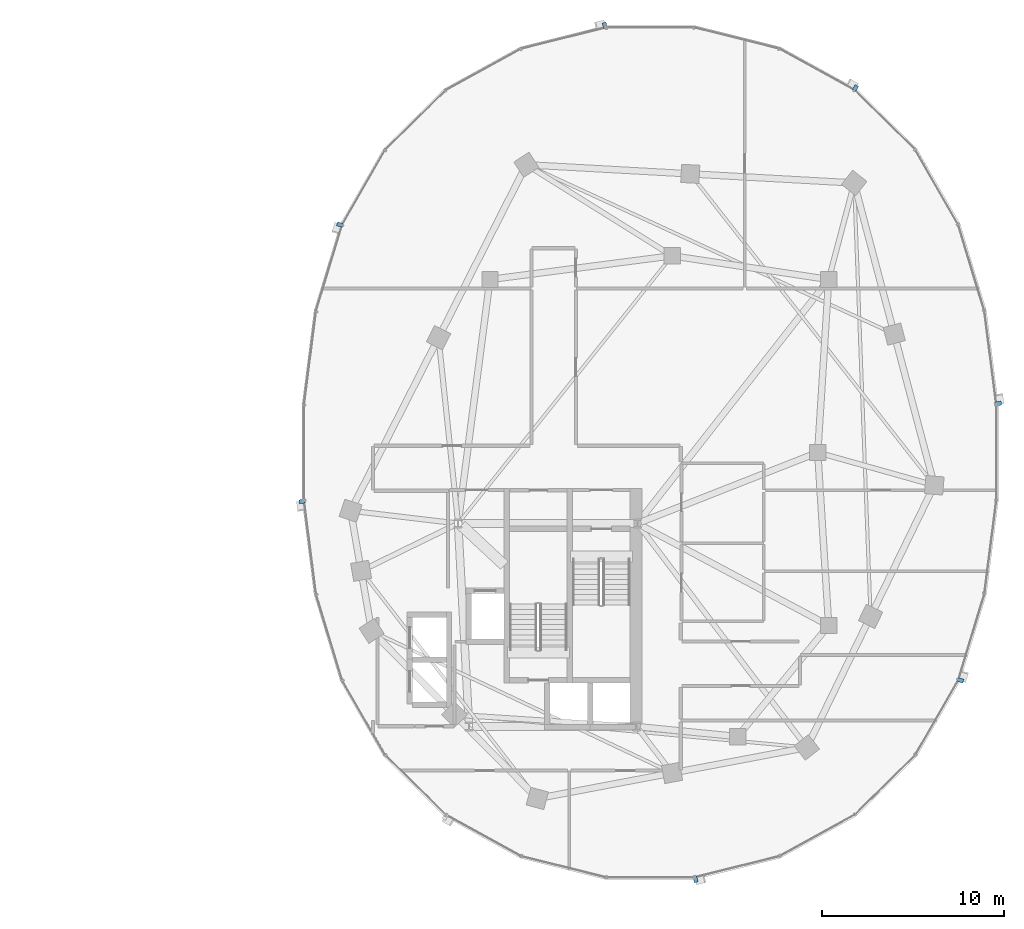
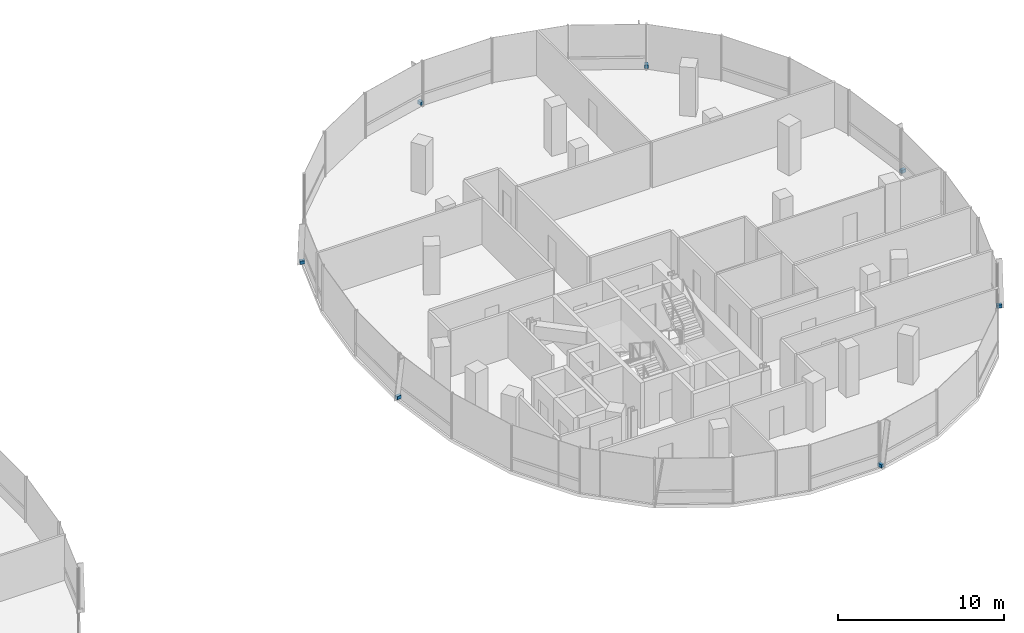
# One storey, part 17 of 22: 7 discrete accessories.
"""IFC4 building model written with IfcOpenShell, lengths in metres."""

import ifcopenshell
import ifcopenshell.guid

model = None  # the IFC model being written
_history = None  # IfcOwnerHistory: only IFC2X3 demands one
_inside = {}  # id of a spatial element -> (the spatial element, [elements in it])
_under = {}  # id of a project, library or spatial element -> (it, [spatial elements below it])
_declared = {}  # id of a project -> (the project, [libraries it declares])
_typed = {}  # id of a type object -> (the type object, [elements of that type])
_made_of = {}  # id of a material, layer set ... -> (it, [elements and type objects made of it])


def new_model(schema):
    """Start an empty IFC model of exactly this schema.

    Asked for "IFC4X3", IfcOpenShell would pick the latest addendum, in which some entities
    have other attributes; the version numbers below select the first issue.
    IFC2X3 requires an IfcOwnerHistory on every rooted entity: one is made here for all.
    """
    global model, _history
    if schema == "IFC4X3":
        model = ifcopenshell.file(schema_version=(4, 3, 0, 0))
    else:
        model = ifcopenshell.file(schema=schema)
    _inside.clear()
    _under.clear()
    _declared.clear()
    _typed.clear()
    _made_of.clear()
    _history = None
    if model.schema == "IFC2X3":
        org = make("IfcOrganization", Name="unknown")
        user = make(
            "IfcPersonAndOrganization",
            ThePerson=make("IfcPerson", FamilyName="unknown"),
            TheOrganization=org,
        )
        app = make(
            "IfcApplication",
            ApplicationDeveloper=org,
            Version="unknown",
            ApplicationFullName="unknown",
            ApplicationIdentifier="unknown",
        )
        _history = make(
            "IfcOwnerHistory",
            OwningUser=user,
            OwningApplication=app,
            ChangeAction="ADDED",
            CreationDate=0,
        )
    return model


def make(cls, **values):
    """One entity of the class cls with the attributes given. An attribute that is None is left unset."""
    return model.create_entity(
        cls, **{name: value for name, value in values.items() if value is not None}
    )


def rooted(cls, **values):
    """An entity with a GlobalId (a new one), such as an element, a storey or a relation."""
    return make(cls, GlobalId=ifcopenshell.guid.new(), OwnerHistory=_history, **values)


def si_unit(unit_type, name, prefix=None):
    """IfcSIUnit, for example si_unit("LENGTHUNIT", "METRE", prefix="MILLI")."""
    return make("IfcSIUnit", UnitType=unit_type, Prefix=prefix, Name=name)


def assignment(units):
    """IfcUnitAssignment: the units of a project."""
    return None if units is None else make("IfcUnitAssignment", Units=units)


def point(xyz):
    """IfcCartesianPoint."""
    return None if xyz is None else make("IfcCartesianPoint", Coordinates=xyz)


def direction(xyz):
    """IfcDirection."""
    return None if xyz is None else make("IfcDirection", DirectionRatios=xyz)


def frame(location, z_axis=None, x_axis=None):
    """IfcAxis2Placement3D, a coordinate frame: its origin and axes. An axis left out is left unset."""
    return make(
        "IfcAxis2Placement3D",
        Location=point(location),
        Axis=direction(z_axis),
        RefDirection=direction(x_axis),
    )


def frame_2d(location, x_axis=None):
    """IfcAxis2Placement2D, a coordinate frame in the plane: its origin and x axis."""
    return make(
        "IfcAxis2Placement2D", Location=point(location), RefDirection=direction(x_axis)
    )


def origin():
    """The frame at (0, 0, 0) with its axes left unset."""
    return frame((0.0, 0.0, 0.0))


def origin_2d():
    """The frame at (0, 0) in the plane with its x axis left unset."""
    return frame_2d((0.0, 0.0))


def place(relative_to, where):
    """IfcLocalPlacement: puts the frame where relative to a parent placement (None: the world)."""
    return make(
        "IfcLocalPlacement", PlacementRelTo=relative_to, RelativePlacement=where
    )


def context(
    kind, dimensions, precision=None, world=None, true_north=None, identifier=None
):
    """IfcGeometricRepresentationContext, for example the 3D "Model" context."""
    return make(
        "IfcGeometricRepresentationContext",
        ContextIdentifier=identifier,
        ContextType=kind,
        CoordinateSpaceDimension=dimensions,
        Precision=precision,
        WorldCoordinateSystem=world,
        TrueNorth=true_north,
    )


def subcontext(parent, identifier, kind, view, scale=None):
    """IfcGeometricRepresentationSubContext, for example "Body" below "Model"."""
    return make(
        "IfcGeometricRepresentationSubContext",
        ContextIdentifier=identifier,
        ContextType=kind,
        ParentContext=parent,
        TargetScale=scale,
        TargetView=view,
    )


def project(units=None, contexts=None):
    """IfcProject with its units and contexts."""
    return rooted(
        "IfcProject",
        Name="project",
        RepresentationContexts=contexts,
        UnitsInContext=assignment(units),
    )


def spatial(cls, under=None, at=None, **own):
    """A site, building, storey or space (cls), placed at a placement, below another one or the project."""
    s = rooted(cls, ObjectPlacement=at, **own)
    if under is not None:
        _under.setdefault(under.id(), (under, []))[1].append(s)
    return s


def profile(cls, at=None, kind="AREA", **sizes):
    """A parametric profile (cls). Its sizes go by their IFC names, for example OverallWidth=200.0."""
    return make(cls, ProfileType=kind, Position=at, **sizes)


def rectangle(**sizes):
    """IfcRectangleProfileDef."""
    return profile("IfcRectangleProfileDef", **sizes)


def extrude(swept, where, along, depth):
    """IfcExtrudedAreaSolid: the profile swept, set in the frame where, extruded along a direction by depth."""
    return make(
        "IfcExtrudedAreaSolid",
        SweptArea=swept,
        Position=where,
        ExtrudedDirection=direction(along),
        Depth=depth,
    )


def shape(context_of_items, identifier, shape_type, items):
    """IfcShapeRepresentation: the items that make up one representation, for example the "Body"."""
    return make(
        "IfcShapeRepresentation",
        ContextOfItems=context_of_items,
        RepresentationIdentifier=identifier,
        RepresentationType=shape_type,
        Items=items,
    )


def material(Name=None, Category=None):
    """IfcMaterial."""
    return make("IfcMaterial", Name=Name, Category=Category)


def made_of(thing, what):
    """Note that an element or type object is made of a material, layer set ...; save() writes the relation."""
    if what is not None:
        _made_of.setdefault(what.id(), (what, []))[1].append(thing)
    return thing


def type_object(cls, material=None, **own):
    """A type object (cls), such as IfcWallType, which elements share."""
    return made_of(rooted(cls, **own), material)


def element(
    cls,
    number,
    at=None,
    inside=None,
    cuts=None,
    type_object=None,
    material=None,
    context=None,
    identifier="Body",
    shape_type=None,
    held_by="IfcProductDefinitionShape",
    body=None,
    shapes=None,
    **own,
):
    """One element of the class cls, such as IfcWall. Its Tag is "e" and its number.

    at: its placement. inside: the storey or other place that contains it. cuts: it is an
    opening in that element (IfcRelVoidsElement). A single representation is given by context,
    identifier, shape_type and body (its items); several are given by shapes. held_by: the class
    of the entity that holds the representations. save() writes the other relations.
    """
    e = rooted(cls, Tag="e%d" % number, ObjectPlacement=at, **own)
    if body is not None:
        shapes = [shape(context, identifier, shape_type, body)]
    if shapes is not None:
        e.Representation = make(held_by, Representations=shapes)
    if inside is not None:
        _inside.setdefault(inside.id(), (inside, []))[1].append(e)
    if cuts is not None:
        rooted(
            "IfcRelVoidsElement", RelatingBuildingElement=cuts, RelatedOpeningElement=e
        )
    if type_object is not None:
        _typed.setdefault(type_object.id(), (type_object, []))[1].append(e)
    return made_of(e, material)


def aggregate(whole, parts):
    """IfcRelAggregates: a whole, such as a stair, and the parts it consists of."""
    return rooted("IfcRelAggregates", RelatingObject=whole, RelatedObjects=parts)


def save(model, path):
    """Write the relations noted so far, then the file.

    IfcRelAggregates (storeys below a building ...), IfcRelContainedInSpatialStructure (elements
    in a storey), IfcRelDefinesByType, IfcRelAssociatesMaterial and IfcRelDeclares: one each for
    every whole, place, type object, material and project.
    """
    for whole, parts in _under.values():
        aggregate(whole, parts)
    for where, things in _inside.values():
        rooted(
            "IfcRelContainedInSpatialStructure",
            RelatedElements=things,
            RelatingStructure=where,
        )
    for kind, things in _typed.values():
        rooted("IfcRelDefinesByType", RelatedObjects=things, RelatingType=kind)
    for what, things in _made_of.values():
        rooted("IfcRelAssociatesMaterial", RelatedObjects=things, RelatingMaterial=what)
    for by, libraries in _declared.values():
        rooted("IfcRelDeclares", RelatingContext=by, RelatedDefinitions=libraries)
    model.write(path)


model = new_model("IFC4")

# Units and contexts
model_context = context("Model", 3, precision=1e-05, world=origin(), true_north=direction((0.0, 1.0)))
body_context = subcontext(model_context, "Body", "Model", "MODEL_VIEW")
ifc_project = project(units=[si_unit("LENGTHUNIT", "METRE"), si_unit("AREAUNIT", "SQUARE_METRE"), si_unit("VOLUMEUNIT", "CUBIC_METRE"), si_unit("PLANEANGLEUNIT", "RADIAN"), si_unit("MASSUNIT", "GRAM", prefix="KILO"), si_unit("THERMODYNAMICTEMPERATUREUNIT", "KELVIN"), si_unit("POWERUNIT", "WATT")], contexts=[model_context])

# Site, building, storey
site_placement = place(None, origin())
site = spatial("IfcSite", under=ifc_project, at=site_placement, CompositionType="ELEMENT")
building_placement = place(site_placement, origin())
building = spatial("IfcBuilding", under=site, at=building_placement, Name="Cundina Bronze Exchange", CompositionType="ELEMENT")
storey_placement = place(building_placement, frame((0.0, 0.0, 147.60009765625)))
storey = spatial("IfcBuildingStorey", under=building, at=storey_placement, Name="L38", CompositionType="ELEMENT", Elevation=147.60009765625)

# Discrete accessories
ifc_material = material(Name="Anodised Bronze Aluminium 6063-T6", Category="aluminium")
discrete_accessory_type = type_object("IfcDiscreteAccessoryType", Name="ACC-BRK-FIN", PredefinedType="BRACKET", material=ifc_material)
for number, where, z_axis, x_axis, name in (
    (1, (51.125732421875, 2.69189453125, 0.10009765625), (0.0, 0.0, 1.0), (-0.126475984253, 0.9919696696, 0.0), "L38 Fin Support Bracket 1"),
    (2, (43.266845703125, 20.015380859375, 0.10009765625), (0.0, 0.0, 1.0), (-0.875869093438, 0.482548786301, 0.0), "L38 Fin Support Bracket 5"),
    (3, (29.507080078125, 23.44970703125, 0.10009765625), (0.0, 0.0, 1.0), (-0.970092713791, -0.242734683656, 0.0), "L38 Fin Support Bracket 1"),
    (4, (14.9541015625, 12.511962890625, 0.10009765625), (0.0, 0.0, 1.0), (-0.290050843957, -0.957011237092, 0.0), "L38 Fin Support Bracket 5"),
    (5, (12.874267578125, -2.69189453125, 0.10009765625), (0.0, 0.0, 1.0), (0.126475984253, -0.9919696696, 0.0), "L38 Fin Support Bracket 1"),
    (6, (34.492919921875, -23.44970703125, 0.10009765625), (0.0, 0.0, 1.0), (0.970092713791, 0.242734683656, 0.0), "L38 Fin Support Bracket 1"),
    (7, (49.0458984375, -12.511962890625, 0.10009765625), (0.0, 0.0, 1.0), (0.290050843957, 0.957011237092, 0.0), "L38 Fin Support Bracket 5"),
):
    element("IfcDiscreteAccessory", number, at=place(storey_placement, frame(where, z_axis=z_axis, x_axis=x_axis)), inside=storey, type_object=discrete_accessory_type, Name=name, PredefinedType="BRACKET", context=body_context, shape_type="SweptSolid", body=[
        extrude(rectangle(XDim=0.219970703125, YDim=0.320068359375, at=origin_2d()), origin(), (0.0, 0.0, 1.0), 0.239990234375),
    ])

save(model, "model.ifc")
